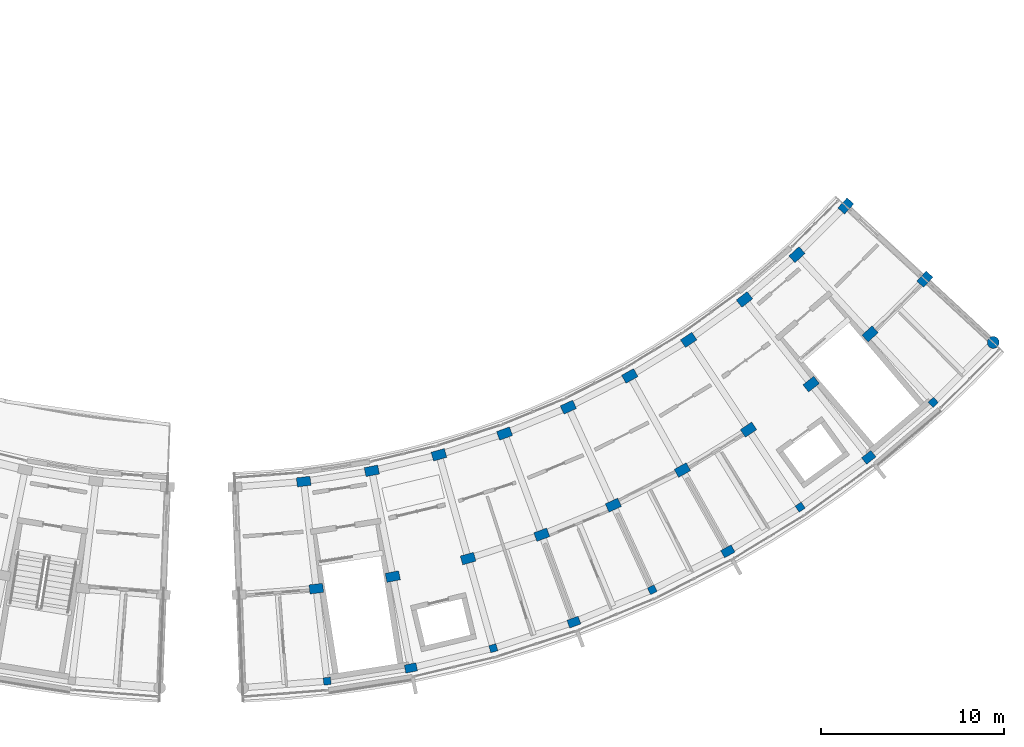
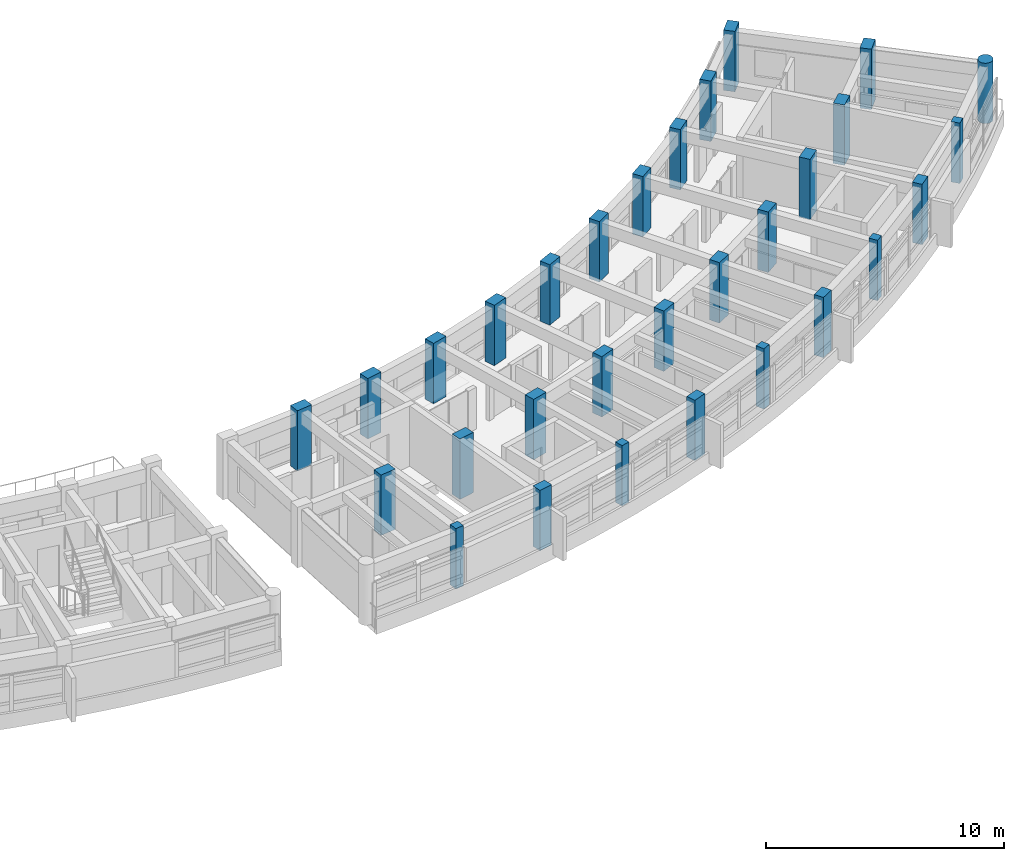
# One storey, part 2 of 54: 30 columns.
"""IFC4 building model written with IfcOpenShell, lengths in metres."""

from ifc_helpers import new_model, si_unit, direction, frame, origin, origin_2d, place, context, subcontext, project, spatial, rectangle, circle, extrude, material, material_profile, profile_set, type_object, element, save


model = new_model("IFC4")

# Units and contexts
model_context = context("Model", 3, precision=1e-05, world=origin(), true_north=direction((0.0, 1.0)))
body_context = subcontext(model_context, "Body", "Model", "MODEL_VIEW")
ifc_project = project(units=[si_unit("LENGTHUNIT", "METRE"), si_unit("AREAUNIT", "SQUARE_METRE"), si_unit("VOLUMEUNIT", "CUBIC_METRE"), si_unit("PLANEANGLEUNIT", "RADIAN"), si_unit("MASSUNIT", "GRAM", prefix="KILO")], contexts=[model_context])

# Site, building, storey
site_placement = place(None, origin())
site = spatial("IfcSite", under=ifc_project, at=site_placement, CompositionType="ELEMENT")
building_placement = place(site_placement, origin())
building = spatial("IfcBuilding", under=site, at=building_placement, Name="Zimvara Arc Housing Community", CompositionType="ELEMENT")
storey_placement = place(building_placement, frame((0.0, 0.0, 23.60009765625)))
storey = spatial("IfcBuildingStorey", under=building, at=storey_placement, Name="L07", CompositionType="ELEMENT", Elevation=23.60009765625)

# Columns
ifc_material_1 = material(Name="Concrete C40/50", Category="concrete")
ifc_material_profile_1 = material_profile(ifc_material_1, rectangle(XDim=0.39990234375, YDim=0.39990234375, at=origin_2d()), Name="RC 400x400")
ifc_profile_set_1 = profile_set([ifc_material_profile_1], Name="Concrete C40/50")
column_type_1 = type_object("IfcColumnType", Name="COL-RC-400x400", PredefinedType="COLUMN", material=ifc_profile_set_1)
for number, where, z_axis, x_axis, name in (
    (1, (132.849609375, 51.382080078125, 0.0), (0.0, 0.0, 1.0), (0.116670737099, -0.993170649538, 0.0), "col:blkD:L07:b1:r3"),
    (2, (141.912841796875, 53.1767578125, 0.0), (0.0, 0.0, 1.0), (0.270600445976, -0.962691746426, 0.0), "col:blkD:L07:b3:r3"),
    (3, (150.583984375, 56.366943359375, 0.0), (0.0, 0.0, 1.0), (0.417867073801, -0.908508177527, 0.0), "col:blkD:L07:b5:r3"),
    (4, (158.649169921875, 60.87451171875, 0.0), (0.0, 0.0, 1.0), (0.554844427448, -0.83195412213, 0.0), "col:blkD:L07:b7:r3"),
    (5, (165.91015625, 66.588134765625, 0.0), (0.0, 0.0, 1.0), (0.678159669868, -0.73491459515, 0.0), "col:blkD:L07:b9:r3"),
):
    element("IfcColumn", number, at=place(storey_placement, frame(where, z_axis=z_axis, x_axis=x_axis)), inside=storey, type_object=column_type_1, Name=name, PredefinedType="COLUMN", context=body_context, shape_type="SweptSolid", body=[
        extrude(rectangle(XDim=0.39990234375, YDim=0.39990234375, at=origin_2d()), origin(), (0.0, 0.0, 1.0), 3.099853515625),
    ])
ifc_material_2 = material(Name="Concrete C40/50", Category="concrete")
ifc_material_profile_2 = material_profile(ifc_material_2, rectangle(XDim=0.449951171875, YDim=0.64990234375, at=origin_2d()), Name="RC 450x650")
ifc_profile_set_2 = profile_set([ifc_material_profile_2], Name="Concrete C40/50")
column_type_2 = type_object("IfcColumnType", Name="COL-RC-450x650", PredefinedType="COLUMN", material=ifc_profile_set_2)
for number, where, z_axis, x_axis, name in (
    (6, (137.41650390625, 52.101318359375, 0.0), (0.0, 0.0, 1.0), (0.19423435122, -0.980955155349, 0.0), "col:blkD:L07:b2:r3"),
    (7, (146.311279296875, 54.6015625, 0.0), (0.0, 0.0, 1.0), (0.345298198999, -0.93849302276, 0.0), "col:blkD:L07:b4:r3"),
    (8, (154.705078125, 58.46240234375, 0.0), (0.0, 0.0, 1.0), (0.487859659139, -0.87292207727, 0.0), "col:blkD:L07:b6:r3"),
    (9, (162.391845703125, 63.5888671875, 0.0), (0.0, 0.0, 1.0), (0.618408395358, -0.785856893175, 0.0), "col:blkD:L07:b8:r3"),
):
    element("IfcColumn", number, at=place(storey_placement, frame(where, z_axis=z_axis, x_axis=x_axis)), inside=storey, type_object=column_type_2, Name=name, PredefinedType="COLUMN", context=body_context, shape_type="SweptSolid", body=[
        extrude(rectangle(XDim=0.449951171875, YDim=0.64990234375, at=origin_2d()), origin(), (0.0, 0.0, 1.0), 3.099853515625),
    ])
ifc_material_3 = material(Name="Concrete C40/50", Category="concrete")
ifc_material_profile_3 = material_profile(ifc_material_3, rectangle(XDim=0.5, YDim=0.75, at=origin_2d()), Name="RC 500x750")
ifc_profile_set_3 = profile_set([ifc_material_profile_3], Name="Concrete C40/50")
column_type_3 = type_object("IfcColumnType", Name="COL-RC-500x750", PredefinedType="COLUMN", material=ifc_profile_set_3)
for number, where, z_axis, x_axis, name in (
    (10, (131.57080078125, 62.267333984375, 0.0), (0.0, 0.0, 1.0), (0.116670737099, -0.993170649538, 0.0), "col:blkD:L07:b1:r1"),
    (11, (132.2568359375, 56.427490234375, 0.0), (0.0, 0.0, 1.0), (0.116670737099, -0.993170649538, 0.0), "col:blkD:L07:b1:r2"),
    (12, (135.28759765625, 62.8525390625, 0.0), (0.0, 0.0, 1.0), (0.19423435122, -0.980955155349, 0.0), "col:blkD:L07:b2:r1"),
    (13, (136.4296875, 57.084716796875, 0.0), (0.0, 0.0, 1.0), (0.19423435122, -0.980955155349, 0.0), "col:blkD:L07:b2:r2"),
    (14, (138.947265625, 63.727783203125, 0.0), (0.0, 0.0, 1.0), (0.270600445976, -0.962691746426, 0.0), "col:blkD:L07:b3:r1"),
    (15, (140.538330078125, 58.067138671875, 0.0), (0.0, 0.0, 1.0), (0.270600445976, -0.962691746426, 0.0), "col:blkD:L07:b3:r2"),
    (16, (142.526611328125, 64.887451171875, 0.0), (0.0, 0.0, 1.0), (0.345298198999, -0.93849302276, 0.0), "col:blkD:L07:b4:r1"),
    (17, (144.55712890625, 59.369140625, 0.0), (0.0, 0.0, 1.0), (0.345298198999, -0.93849302276, 0.0), "col:blkD:L07:b4:r2"),
    (18, (146.004150390625, 66.32421875, 0.0), (0.0, 0.0, 1.0), (0.417867073801, -0.908508177527, 0.0), "col:blkD:L07:b5:r1"),
    (19, (148.461181640625, 60.982177734375, 0.0), (0.0, 0.0, 1.0), (0.417867073801, -0.908508177527, 0.0), "col:blkD:L07:b5:r2"),
    (20, (149.358154296875, 68.029541015625, 0.0), (0.0, 0.0, 1.0), (0.487859659139, -0.87292207727, 0.0), "col:blkD:L07:b6:r1"),
    (21, (152.226806640625, 62.896728515625, 0.0), (0.0, 0.0, 1.0), (0.487859659139, -0.87292207727, 0.0), "col:blkD:L07:b6:r2"),
    (22, (152.568115234375, 69.99267578125, 0.0), (0.0, 0.0, 1.0), (0.554844427448, -0.83195412213, 0.0), "col:blkD:L07:b7:r1"),
    (23, (155.83056640625, 65.100830078125, 0.0), (0.0, 0.0, 1.0), (0.554844427448, -0.83195412213, 0.0), "col:blkD:L07:b7:r2"),
    (24, (155.614013671875, 72.20166015625, 0.0), (0.0, 0.0, 1.0), (0.618408395358, -0.785856893175, 0.0), "col:blkD:L07:b8:r1"),
    (25, (159.25048828125, 67.580810546875, 0.0), (0.0, 0.0, 1.0), (0.618408395358, -0.785856893175, 0.0), "col:blkD:L07:b8:r2"),
    (26, (158.477294921875, 74.642822265625, 0.0), (0.0, 0.0, 1.0), (0.678159669868, -0.73491459515, 0.0), "col:blkD:L07:b9:r1"),
    (27, (162.465087890625, 70.321533203125, 0.0), (0.0, 0.0, 1.0), (0.678159669868, -0.73491459515, 0.0), "col:blkD:L07:b9:r2"),
    (28, (161.140380859375, 77.30126953125, 0.0), (0.0, 0.0, 1.0), (0.733729864503, -0.679441304262, 0.0), "col:blkD:L07:b10:r1"),
    (29, (165.45458984375, 73.30615234375, 0.0), (0.0, 0.0, 1.0), (0.733729864503, -0.679441304262, 0.0), "col:blkD:L07:b10:r2"),
):
    element("IfcColumn", number, at=place(storey_placement, frame(where, z_axis=z_axis, x_axis=x_axis)), inside=storey, type_object=column_type_3, Name=name, PredefinedType="COLUMN", context=body_context, shape_type="SweptSolid", body=[
        extrude(rectangle(XDim=0.5, YDim=0.75, at=origin_2d()), origin(), (0.0, 0.0, 1.0), 3.099853515625),
    ])
ifc_material_4 = material(Name="Concrete C40/50", Category="concrete")
ifc_material_profile_4 = material_profile(ifc_material_4, circle(Radius=0.324951171875, at=origin_2d()), Name="RC D650")
ifc_profile_set_4 = profile_set([ifc_material_profile_4], Name="Concrete C40/50")
column_type_4 = type_object("IfcColumnType", Name="COL-RC-D600", PredefinedType="COLUMN", material=ifc_profile_set_4)
column_placement = place(storey_placement, frame((169.18212890625, 69.8544921875, 0.0), z_axis=(0.0, 0.0, 1.0), x_axis=(0.733729864503, -0.679441304262, 0.0)))
element("IfcColumn", 30, at=column_placement, inside=storey, type_object=column_type_4, Name="col:blkD:L07:b10:r3", PredefinedType="COLUMN", context=body_context, shape_type="SweptSolid", body=[
    extrude(circle(Radius=0.324951171875, at=origin_2d()), origin(), (0.0, 0.0, 1.0), 3.099853515625),
])

save(model, "model.ifc")
